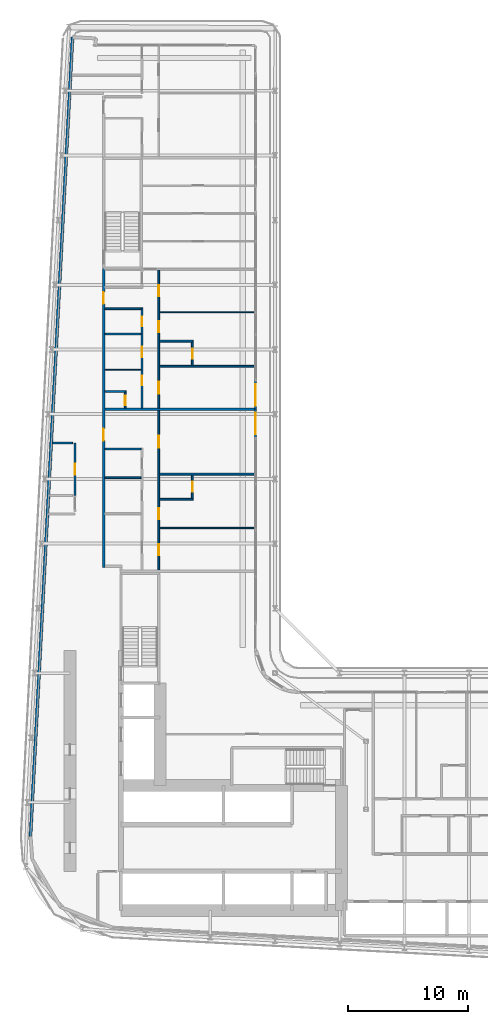
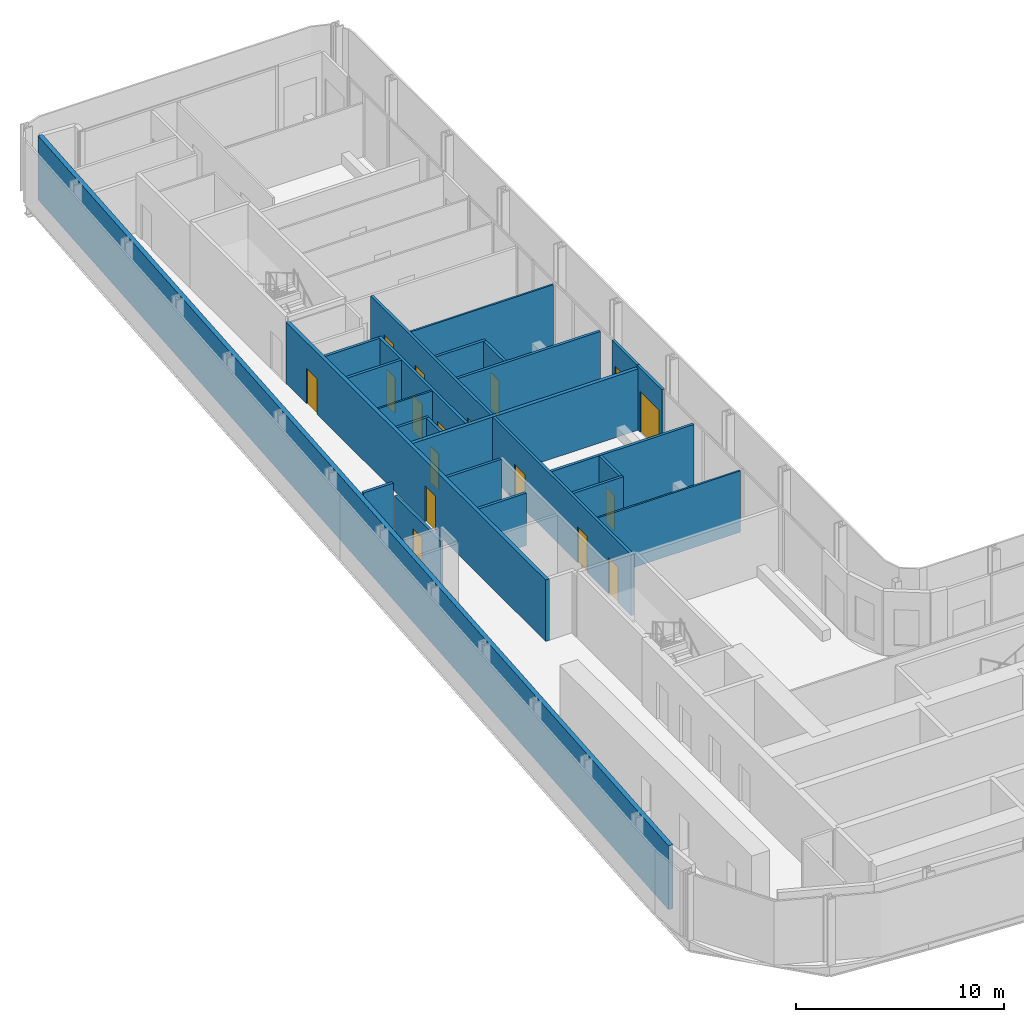
# One storey, part 16 of 27: 25 walls, 17 doors, 17 openings.
"""IFC4 building model written with IfcOpenShell, lengths in metres."""

from ifc_helpers import new_model, si_unit, direction, frame, frame_2d, origin, place, context, subcontext, project, spatial, rectangle, extrude, source, transform, mapped, material, layer, layer_set, type_object, element, fill, save


model = new_model("IFC4")

# Units and contexts
model_context = context("Model", 3, precision=1e-05, world=origin(), true_north=direction((0.0, 1.0)))
body_context = subcontext(model_context, "Body", "Model", "MODEL_VIEW")
ifc_project = project(units=[si_unit("LENGTHUNIT", "METRE"), si_unit("AREAUNIT", "SQUARE_METRE"), si_unit("VOLUMEUNIT", "CUBIC_METRE"), si_unit("PLANEANGLEUNIT", "RADIAN"), si_unit("MASSUNIT", "GRAM", prefix="KILO")], contexts=[model_context])

# Site, building, storey
site_placement = place(None, origin())
site = spatial("IfcSite", under=ifc_project, at=site_placement, CompositionType="ELEMENT")
building_placement = place(site_placement, origin())
building = spatial("IfcBuilding", under=site, at=building_placement, Name="Kheshtan School and Residences Tower", CompositionType="ELEMENT")
storey_placement = place(building_placement, frame((0.0, 0.0, 53.89990234375)))
storey = spatial("IfcBuildingStorey", under=building, at=storey_placement, Name="L12", CompositionType="ELEMENT", Elevation=53.89990234375)

# Wall, openings, doors
ifc_material_1 = material(Name="Gypsum board on steel studs with fire boards", Category="steel")
ifc_layer_1 = layer(ifc_material_1, 0.199951171875)
ifc_layer_set_1 = layer_set([ifc_layer_1], Name="Corridor wall 200")
wall_type_1 = type_object("IfcWallType", Name="Corridor wall 200", PredefinedType="PARTITIONING", material=ifc_layer_set_1)
wall_1_placement = place(storey_placement, frame((33.300048828125, 54.39990234375, 0.0), z_axis=(0.0, 0.0, 1.0), x_axis=(0.0, 1.0, 0.0)))
wall_1 = element("IfcWall", 1, at=wall_1_placement, inside=storey, type_object=wall_type_1, Name="Partition L12-003", PredefinedType="PARTITIONING", context=body_context, shape_type="SweptSolid", body=[
    extrude(rectangle(XDim=24.97509765625, YDim=0.199951171875, at=frame_2d((12.487548828125, 0.0))), origin(), (0.0, 0.0, 1.0), 3.60009765625),
])
opening_1_placement = place(wall_1_placement, frame((10.60009765625, 0.0, 0.0)))
opening_1 = element("IfcOpeningElement", 2, at=opening_1_placement, cuts=wall_1, Name="Opening D12-033", PredefinedType="OPENING", context=body_context, shape_type="SweptSolid", body=[
    extrude(rectangle(XDim=1.0, YDim=2.10009765625, at=frame_2d((0.5, 1.050048828125))), frame((0.0, 0.10986328125, 0.0), z_axis=(0.0, -1.0, 0.0), x_axis=(1.0, 0.0, 0.0)), (0.0, 0.0, 1.0), 0.219970703125),
])
opening_2_placement = place(wall_1_placement, frame((22.0, 0.0, 0.0)))
opening_2 = element("IfcOpeningElement", 3, at=opening_2_placement, cuts=wall_1, Name="Opening D12-041", PredefinedType="OPENING", context=body_context, shape_type="SweptSolid", body=[
    extrude(rectangle(XDim=1.0, YDim=2.10009765625, at=frame_2d((0.5, 1.050048828125))), frame((0.0, 0.10986328125, 0.0), z_axis=(0.0, -1.0, 0.0), x_axis=(1.0, 0.0, 0.0)), (0.0, 0.0, 1.0), 0.219970703125),
])
ifc_material_2 = material(Name="Steel-framed fire-resisting door leaf", Category="steel")
door_type_1 = type_object("IfcDoorType", Name="Fire door FD30S 1000 x 2100", OperationType="SINGLE_SWING_LEFT", PredefinedType="DOOR", material=ifc_material_2)
shared_shape_1 = source(origin(), body_context, "Body", "SweptSolid", [
    extrude(rectangle(XDim=1.0, YDim=2.10009765625, at=frame_2d((0.5, 1.050048828125))), frame((0.0, 0.02490234375, 0.0), z_axis=(0.0, -1.0, 0.0), x_axis=(1.0, 0.0, 0.0)), (0.0, 0.0, 1.0), 0.050048828125),
])
door_1_placement = place(opening_1_placement, origin())
door_1 = element("IfcDoor", 4, at=door_1_placement, inside=storey, type_object=door_type_1, Name="Door D12-033", OperationType="SINGLE_SWING_RIGHT", OverallHeight=2.10009765625, OverallWidth=1.0, PredefinedType="DOOR", context=body_context, shape_type="MappedRepresentation", body=[
    mapped(shared_shape_1, transform((0.0, 0.0, 0.0), x_axis=(1.0, 0.0, 0.0), y_axis=(0.0, 1.0, 0.0), z_axis=(0.0, 0.0, 1.0), scale=1.0)),
])
fill(opening_1, door_1)
door_2_placement = place(opening_2_placement, origin())
door_2 = element("IfcDoor", 5, at=door_2_placement, inside=storey, type_object=door_type_1, Name="Door D12-041", OperationType="SINGLE_SWING_LEFT", OverallHeight=2.10009765625, OverallWidth=1.0, PredefinedType="DOOR", context=body_context, shape_type="MappedRepresentation", body=[
    mapped(shared_shape_1, transform((0.0, 0.0, 0.0), x_axis=(1.0, 0.0, 0.0), y_axis=(0.0, 1.0, 0.0), z_axis=(0.0, 0.0, 1.0), scale=1.0)),
])
fill(opening_2, door_2)

# Wall
ifc_material_3 = material(Name="Concrete C40/50 with ceramic cladding and mineral wool insulation", Category="concrete")
ifc_layer_2 = layer(ifc_material_3, 0.25)
ifc_layer_set_2 = layer_set([ifc_layer_2], Name="External wall 250 ceramic clad")
wall_type_2 = type_object("IfcWallType", Name="External wall 250 ceramic clad", PredefinedType="SOLIDWALL", material=ifc_layer_set_2)
wall_2_placement = place(storey_placement, frame((27.195068359375, 31.968994140625, 0.0), z_axis=(0.0, 0.0, 1.0), x_axis=(0.052554995867, 0.998618031286, 0.0)))
element("IfcWall", 6, at=wall_2_placement, inside=storey, type_object=wall_type_2, Name="External wall L12 4", PredefinedType="SOLIDWALL", context=body_context, shape_type="SweptSolid", body=[
    extrude(rectangle(XDim=66.787353515625, YDim=0.25, at=frame_2d((33.3935546875, 0.0))), origin(), (0.0, 0.0, 1.0), 3.75),
])

# Wall, opening, door
ifc_material_4 = material(Name="Aluminium frame wall with insulated infill", Category="aluminium")
ifc_layer_3 = layer(ifc_material_4, 0.14990234375)
ifc_layer_set_3 = layer_set([ifc_layer_3], Name="Glazing frame wall 150")
wall_type_3 = type_object("IfcWallType", Name="Glazing frame wall 150", PredefinedType="SOLIDWALL", material=ifc_layer_set_3)
wall_3_placement = place(storey_placement, frame((45.97509765625, 70.01806640625, 0.0), z_axis=(0.0, 0.0, 1.0), x_axis=(0.0, -1.0, 0.0)))
wall_3 = element("IfcWall", 7, at=wall_3_placement, inside=storey, type_object=wall_type_3, Name="Balcony door wall L12 8.3", PredefinedType="SOLIDWALL", context=body_context, shape_type="SweptSolid", body=[
    extrude(rectangle(XDim=2.400146484375, YDim=0.14990234375, at=frame_2d((1.2001953125, 0.0))), origin(), (0.0, 0.0, 1.0), 3.75),
])
opening_3_placement = place(wall_3_placement, frame((0.300048828125, 0.0, 0.0)))
opening_3 = element("IfcOpeningElement", 8, at=opening_3_placement, cuts=wall_3, Name="Opening BD", PredefinedType="OPENING", context=body_context, shape_type="SweptSolid", body=[
    extrude(rectangle(XDim=1.800048828125, YDim=2.39990234375, at=frame_2d((0.89990234375, 1.199951171875))), frame((0.0, 0.0849609375, 0.0), z_axis=(0.0, -1.0, 0.0), x_axis=(1.0, 0.0, 0.0)), (0.0, 0.0, 1.0), 0.169921875),
])
ifc_material_5 = material(Name="Clear low-e glass in thermally broken aluminium frame", Category="aluminium")
door_type_2 = type_object("IfcDoorType", Name="Balcony sliding door", OperationType="SLIDING_TO_LEFT", PredefinedType="DOOR", material=ifc_material_5)
shared_shape_2 = source(origin(), body_context, "Body", "SweptSolid", [
    extrude(rectangle(XDim=1.800048828125, YDim=2.39990234375, at=frame_2d((0.89990234375, 1.199951171875))), frame((0.0, 0.02490234375, 0.0), z_axis=(0.0, -1.0, 0.0), x_axis=(1.0, 0.0, 0.0)), (0.0, 0.0, 1.0), 0.050048828125),
])
door_3_placement = place(opening_3_placement, origin())
door_3 = element("IfcDoor", 9, at=door_3_placement, inside=storey, type_object=door_type_2, Name="Balcony door L12 8.3", OperationType="SLIDING_TO_LEFT", OverallHeight=2.39990234375, OverallWidth=1.800048828125, PredefinedType="DOOR", context=body_context, shape_type="MappedRepresentation", body=[
    mapped(shared_shape_2, transform((0.0, 0.0, 0.0), x_axis=(1.0, 0.0, 0.0), y_axis=(0.0, 1.0, 0.0), z_axis=(0.0, 0.0, 1.0), scale=1.0)),
])
fill(opening_3, door_3)

wall_4_placement = place(storey_placement, frame((45.97509765625, 67.617919921875, 0.0), z_axis=(0.0, 0.0, 1.0), x_axis=(0.0, -1.0, 0.0)))
wall_4 = element("IfcWall", 10, at=wall_4_placement, inside=storey, type_object=wall_type_3, Name="Balcony door wall L12 8.4", PredefinedType="SOLIDWALL", context=body_context, shape_type="SweptSolid", body=[
    extrude(rectangle(XDim=2.39990234375, YDim=0.14990234375, at=frame_2d((1.199951171875, 0.0))), origin(), (0.0, 0.0, 1.0), 3.75),
])
opening_4_placement = place(wall_4_placement, frame((0.300048828125, 0.0, 0.0)))
opening_4 = element("IfcOpeningElement", 11, at=opening_4_placement, cuts=wall_4, Name="Opening BD", PredefinedType="OPENING", context=body_context, shape_type="SweptSolid", body=[
    extrude(rectangle(XDim=1.800048828125, YDim=2.39990234375, at=frame_2d((0.89990234375, 1.199951171875))), frame((0.0, 0.0849609375, 0.0), z_axis=(0.0, -1.0, 0.0), x_axis=(1.0, 0.0, 0.0)), (0.0, 0.0, 1.0), 0.169921875),
])
door_4_placement = place(opening_4_placement, origin())
door_4 = element("IfcDoor", 12, at=door_4_placement, inside=storey, type_object=door_type_2, Name="Balcony door L12 8.4", OperationType="SLIDING_TO_LEFT", OverallHeight=2.39990234375, OverallWidth=1.800048828125, PredefinedType="DOOR", context=body_context, shape_type="MappedRepresentation", body=[
    mapped(shared_shape_2, transform((0.0, 0.0, 0.0), x_axis=(1.0, 0.0, 0.0), y_axis=(0.0, 1.0, 0.0), z_axis=(0.0, 0.0, 1.0), scale=1.0)),
])
fill(opening_4, door_4)

# Walls
ifc_material_6 = material(Name="Gypsum board on steel studs", Category="steel")
ifc_layer_4 = layer(ifc_material_6, 0.10009765625)
ifc_layer_set_4 = layer_set([ifc_layer_4], Name="Gypsum partition 100")
wall_type_4 = type_object("IfcWallType", Name="Gypsum partition 100", PredefinedType="PARTITIONING", material=ifc_layer_set_4)
wall_5_placement = place(storey_placement, frame((33.39990234375, 70.89990234375, 0.0), z_axis=(0.0, 0.0, 1.0), x_axis=(1.0, 0.0, 0.0)))
element("IfcWall", 13, at=wall_5_placement, inside=storey, type_object=wall_type_4, Name="Partition L12-011", PredefinedType="PARTITIONING", context=body_context, shape_type="SweptSolid", body=[
    extrude(rectangle(XDim=3.025146484375, YDim=0.10009765625, at=frame_2d((1.5126953125, 0.0))), origin(), (0.0, 0.0, 1.0), 3.60009765625),
])
for number, where, z_axis, x_axis, name in (
    (14, (37.97509765625, 57.699951171875, 0.0), (0.0, 0.0, 1.0), (1.0, 0.0, 0.0), "Partition L12-034"),
    (15, (37.97509765625, 75.699951171875, 0.0), (0.0, 0.0, 1.0), (1.0, 0.0, 0.0), "Partition L12-039"),
):
    element("IfcWall", number, at=place(storey_placement, frame(where, z_axis=z_axis, x_axis=x_axis)), inside=storey, type_object=wall_type_4, Name=name, PredefinedType="PARTITIONING", context=body_context, shape_type="SweptSolid", body=[
        extrude(rectangle(XDim=7.9248046875, YDim=0.10009765625, at=frame_2d((3.96240234375, 0.0))), origin(), (0.0, 0.0, 1.0), 3.60009765625),
    ])

# Wall, opening, door
ifc_material_7 = material(Name="Fire-board shaft wall system")
ifc_layer_5 = layer(ifc_material_7, 0.14990234375)
ifc_layer_set_5 = layer_set([ifc_layer_5], Name="Service room wall 150")
wall_type_5 = type_object("IfcWallType", Name="Service room wall 150", PredefinedType="PARTITIONING", material=ifc_layer_set_5)
wall_6_placement = place(storey_placement, frame((30.89990234375, 60.4140625, 0.0), z_axis=(0.0, 0.0, 1.0), x_axis=(0.0, 1.0, 0.0)))
wall_6 = element("IfcWall", 16, at=wall_6_placement, inside=storey, type_object=wall_type_5, Name="Service room wall", PredefinedType="PARTITIONING", context=body_context, shape_type="SweptSolid", body=[
    extrude(rectangle(XDim=4.385986328125, YDim=0.14990234375, at=frame_2d((2.19287109375, 0.0))), origin(), (0.0, 0.0, 1.0), 3.072021484375),
])
opening_5_placement = place(wall_6_placement, frame((1.742919921875, 0.0, 0.0)))
opening_5 = element("IfcOpeningElement", 17, at=opening_5_placement, cuts=wall_6, Name="Opening SR90", PredefinedType="OPENING", context=body_context, shape_type="SweptSolid", body=[
    extrude(rectangle(XDim=0.89990234375, YDim=2.199951171875, at=frame_2d((0.449951171875, 1.10009765625))), frame((0.0, 0.0849609375, 0.0), z_axis=(0.0, -1.0, 0.0), x_axis=(1.0, 0.0, 0.0)), (0.0, 0.0, 1.0), 0.169921875),
])
ifc_material_8 = material(Name="Steel door leaf, galvanised", Category="steel")
door_type_3 = type_object("IfcDoorType", Name="Service room door 900 steel 90 min", OperationType="SINGLE_SWING_LEFT", PredefinedType="DOOR", material=ifc_material_8)
shared_shape_3 = source(origin(), body_context, "Body", "SweptSolid", [
    extrude(rectangle(XDim=0.89990234375, YDim=2.199951171875, at=frame_2d((0.449951171875, 1.10009765625))), frame((0.0, 0.02490234375, 0.0), z_axis=(0.0, -1.0, 0.0), x_axis=(1.0, 0.0, 0.0)), (0.0, 0.0, 1.0), 0.050048828125),
])
door_5_placement = place(opening_5_placement, origin())
door_5 = element("IfcDoor", 18, at=door_5_placement, inside=storey, type_object=door_type_3, Name="Service room door", OperationType="SINGLE_SWING_LEFT", OverallHeight=2.199951171875, OverallWidth=0.89990234375, PredefinedType="DOOR", context=body_context, shape_type="MappedRepresentation", body=[
    mapped(shared_shape_3, transform((0.0, 0.0, 0.0), x_axis=(1.0, 0.0, 0.0), y_axis=(0.0, 1.0, 0.0), z_axis=(0.0, 0.0, 1.0), scale=1.0)),
])
fill(opening_5, door_5)

# Walls
wall_7_placement = place(storey_placement, frame((29.050048828125, 64.800048828125, 0.0), z_axis=(0.0, 0.0, 1.0), x_axis=(1.0, 0.0, 0.0)))
element("IfcWall", 19, at=wall_7_placement, inside=storey, type_object=wall_type_5, Name="Service room wall", PredefinedType="PARTITIONING", context=body_context, shape_type="SweptSolid", body=[
    extrude(rectangle(XDim=1.655029296875, YDim=0.14990234375, at=frame_2d((0.82763671875, 0.0))), origin(), (0.0, 0.0, 1.0), 3.900146484375),
])
ifc_material_9 = material(Name="Twin gypsum board on steel studs with mineral wool", Category="steel")
ifc_layer_6 = layer(ifc_material_9, 0.199951171875)
ifc_layer_set_6 = layer_set([ifc_layer_6], Name="Unit demising wall 200")
wall_type_6 = type_object("IfcWallType", Name="Unit demising wall 200", PredefinedType="PARTITIONING", material=ifc_layer_set_6)
wall_8_placement = place(storey_placement, frame((33.39990234375, 67.60009765625, 0.0), z_axis=(0.0, 0.0, 1.0), x_axis=(1.0, 0.0, 0.0)))
element("IfcWall", 20, at=wall_8_placement, inside=storey, type_object=wall_type_6, Name="Partition L12-009", PredefinedType="PARTITIONING", context=body_context, shape_type="SweptSolid", body=[
    extrude(rectangle(XDim=12.5, YDim=0.199951171875, at=frame_2d((6.25, 0.0))), origin(), (0.0, 0.0, 1.0), 3.60009765625),
])
ifc_material_10 = material(Name="Moisture-resistant gypsum board on steel studs", Category="steel")
ifc_layer_7 = layer(ifc_material_10, 0.14990234375)
ifc_layer_set_7 = layer_set([ifc_layer_7], Name="Wet-room partition 150")
wall_type_7 = type_object("IfcWallType", Name="Wet-room partition 150", PredefinedType="PARTITIONING", material=ifc_layer_set_7)
wall_9_placement = place(storey_placement, frame((33.39990234375, 61.89990234375, 0.0), z_axis=(0.0, 0.0, 1.0), x_axis=(1.0, 0.0, 0.0)))
element("IfcWall", 21, at=wall_9_placement, inside=storey, type_object=wall_type_7, Name="Partition L12-007", PredefinedType="PARTITIONING", context=body_context, shape_type="SweptSolid", body=[
    extrude(rectangle(XDim=3.025146484375, YDim=0.14990234375, at=frame_2d((1.5126953125, 0.0))), origin(), (0.0, 0.0, 1.0), 3.072021484375),
])
wall_10_placement = place(storey_placement, frame((33.39990234375, 64.300048828125, 0.0), z_axis=(0.0, 0.0, 1.0), x_axis=(1.0, 0.0, 0.0)))
element("IfcWall", 22, at=wall_10_placement, inside=storey, type_object=wall_type_7, Name="Partition L12-008", PredefinedType="PARTITIONING", context=body_context, shape_type="SweptSolid", body=[
    extrude(rectangle(XDim=3.025146484375, YDim=0.14990234375, at=frame_2d((1.5126953125, 0.0))), origin(), (0.0, 0.0, 1.0), 3.60009765625),
])
wall_11_placement = place(storey_placement, frame((33.39990234375, 69.10009765625, 0.0), z_axis=(0.0, 0.0, 1.0), x_axis=(1.0, 0.0, 0.0)))
element("IfcWall", 23, at=wall_11_placement, inside=storey, type_object=wall_type_7, Name="Partition L12-010", PredefinedType="PARTITIONING", context=body_context, shape_type="SweptSolid", body=[
    extrude(rectangle(XDim=1.775146484375, YDim=0.14990234375, at=frame_2d((0.8876953125, 0.0))), origin(), (0.0, 0.0, 1.0), 3.60009765625),
])
for number, where, z_axis, x_axis, name in (
    (24, (33.39990234375, 73.89990234375, 0.0), (0.0, 0.0, 1.0), (1.0, 0.0, 0.0), "Partition L12-012"),
    (25, (33.39990234375, 76.0, 0.0), (0.0, 0.0, 1.0), (1.0, 0.0, 0.0), "Partition L12-013"),
):
    element("IfcWall", number, at=place(storey_placement, frame(where, z_axis=z_axis, x_axis=x_axis)), inside=storey, type_object=wall_type_7, Name=name, PredefinedType="PARTITIONING", context=body_context, shape_type="SweptSolid", body=[
        extrude(rectangle(XDim=3.025146484375, YDim=0.14990234375, at=frame_2d((1.5126953125, 0.0))), origin(), (0.0, 0.0, 1.0), 3.60009765625),
    ])

# Wall, opening, door
wall_12_placement = place(storey_placement, frame((35.10009765625, 67.699951171875, 0.0), z_axis=(0.0, 0.0, 1.0), x_axis=(0.0, 1.0, 0.0)))
wall_12 = element("IfcWall", 26, at=wall_12_placement, inside=storey, type_object=wall_type_7, Name="Partition L12-020", PredefinedType="PARTITIONING", context=body_context, shape_type="SweptSolid", body=[
    extrude(rectangle(XDim=1.324951171875, YDim=0.14990234375, at=frame_2d((0.66259765625, 0.0))), origin(), (0.0, 0.0, 1.0), 3.60009765625),
])
opening_6_placement = place(wall_12_placement, frame((0.25, 0.0, 0.0)))
opening_6 = element("IfcOpeningElement", 27, at=opening_6_placement, cuts=wall_12, Name="Opening D12-045", PredefinedType="OPENING", context=body_context, shape_type="SweptSolid", body=[
    extrude(rectangle(XDim=0.800048828125, YDim=2.10009765625, at=frame_2d((0.39990234375, 1.050048828125))), frame((0.0, 0.0849609375, 0.0), z_axis=(0.0, -1.0, 0.0), x_axis=(1.0, 0.0, 0.0)), (0.0, 0.0, 1.0), 0.169921875),
])
ifc_material_11 = material(Name="Veneered timber door leaf", Category="wood")
door_type_4 = type_object("IfcDoorType", Name="Door 800 x 2100", OperationType="SINGLE_SWING_LEFT", PredefinedType="DOOR", material=ifc_material_11)
shared_shape_4 = source(origin(), body_context, "Body", "SweptSolid", [
    extrude(rectangle(XDim=0.800048828125, YDim=2.10009765625, at=frame_2d((0.39990234375, 1.050048828125))), frame((0.0, 0.02490234375, 0.0), z_axis=(0.0, -1.0, 0.0), x_axis=(1.0, 0.0, 0.0)), (0.0, 0.0, 1.0), 0.050048828125),
])
door_6_placement = place(opening_6_placement, origin())
door_6 = element("IfcDoor", 28, at=door_6_placement, inside=storey, type_object=door_type_4, Name="Door D12-045", OperationType="SINGLE_SWING_RIGHT", OverallHeight=2.10009765625, OverallWidth=0.800048828125, PredefinedType="DOOR", context=body_context, shape_type="MappedRepresentation", body=[
    mapped(shared_shape_4, transform((0.0, 0.0, 0.0), x_axis=(1.0, 0.0, 0.0), y_axis=(0.0, 1.0, 0.0), z_axis=(0.0, 0.0, 1.0), scale=1.0)),
])
fill(opening_6, door_6)

# Wall, openings, doors
wall_13_placement = place(storey_placement, frame((36.5, 67.699951171875, 0.0), z_axis=(0.0, 0.0, 1.0), x_axis=(0.0, 1.0, 0.0)))
wall_13 = element("IfcWall", 29, at=wall_13_placement, inside=storey, type_object=wall_type_7, Name="Partition L12-023", PredefinedType="PARTITIONING", context=body_context, shape_type="SweptSolid", body=[
    extrude(rectangle(XDim=8.375, YDim=0.14990234375, at=frame_2d((4.1875, 0.0))), origin(), (0.0, 0.0, 1.0), 3.60009765625),
])
opening_7_placement = place(wall_13_placement, frame((6.85009765625, 0.0, 0.0)))
opening_7 = element("IfcOpeningElement", 30, at=opening_7_placement, cuts=wall_13, Name="Opening D12-038", PredefinedType="OPENING", context=body_context, shape_type="SweptSolid", body=[
    extrude(rectangle(XDim=0.800048828125, YDim=2.10009765625, at=frame_2d((0.39990234375, 1.050048828125))), frame((0.0, 0.0849609375, 0.0), z_axis=(0.0, -1.0, 0.0), x_axis=(1.0, 0.0, 0.0)), (0.0, 0.0, 1.0), 0.169921875),
])
opening_8_placement = place(wall_13_placement, frame((4.25, 0.0, 0.0)))
opening_8 = element("IfcOpeningElement", 31, at=opening_8_placement, cuts=wall_13, Name="Opening D12-042", PredefinedType="OPENING", context=body_context, shape_type="SweptSolid", body=[
    extrude(rectangle(XDim=0.89990234375, YDim=2.10009765625, at=frame_2d((0.449951171875, 1.050048828125))), frame((0.0, 0.0849609375, 0.0), z_axis=(0.0, -1.0, 0.0), x_axis=(1.0, 0.0, 0.0)), (0.0, 0.0, 1.0), 0.169921875),
])
opening_9_placement = place(wall_13_placement, frame((1.89990234375, 0.0, 0.0)))
opening_9 = element("IfcOpeningElement", 32, at=opening_9_placement, cuts=wall_13, Name="Opening D12-044", PredefinedType="OPENING", context=body_context, shape_type="SweptSolid", body=[
    extrude(rectangle(XDim=0.800048828125, YDim=2.10009765625, at=frame_2d((0.39990234375, 1.050048828125))), frame((0.0, 0.0849609375, 0.0), z_axis=(0.0, -1.0, 0.0), x_axis=(1.0, 0.0, 0.0)), (0.0, 0.0, 1.0), 0.169921875),
])
door_7_placement = place(opening_7_placement, origin())
door_7 = element("IfcDoor", 33, at=door_7_placement, inside=storey, type_object=door_type_4, Name="Door D12-038", OperationType="SINGLE_SWING_RIGHT", OverallHeight=2.10009765625, OverallWidth=0.800048828125, PredefinedType="DOOR", context=body_context, shape_type="MappedRepresentation", body=[
    mapped(shared_shape_4, transform((0.0, 0.0, 0.0), x_axis=(1.0, 0.0, 0.0), y_axis=(0.0, 1.0, 0.0), z_axis=(0.0, 0.0, 1.0), scale=1.0)),
])
fill(opening_7, door_7)
door_8_placement = place(opening_9_placement, origin())
door_8 = element("IfcDoor", 34, at=door_8_placement, inside=storey, type_object=door_type_4, Name="Door D12-044", OperationType="SINGLE_SWING_RIGHT", OverallHeight=2.10009765625, OverallWidth=0.800048828125, PredefinedType="DOOR", context=body_context, shape_type="MappedRepresentation", body=[
    mapped(shared_shape_4, transform((0.0, 0.0, 0.0), x_axis=(1.0, 0.0, 0.0), y_axis=(0.0, 1.0, 0.0), z_axis=(0.0, 0.0, 1.0), scale=1.0)),
])
fill(opening_9, door_8)
door_type_5 = type_object("IfcDoorType", Name="Door 900 x 2100", OperationType="SINGLE_SWING_LEFT", PredefinedType="DOOR", material=ifc_material_11)
shared_shape_5 = source(origin(), body_context, "Body", "SweptSolid", [
    extrude(rectangle(XDim=0.89990234375, YDim=2.10009765625, at=frame_2d((0.449951171875, 1.050048828125))), frame((0.0, 0.02490234375, 0.0), z_axis=(0.0, -1.0, 0.0), x_axis=(1.0, 0.0, 0.0)), (0.0, 0.0, 1.0), 0.050048828125),
])
door_9_placement = place(opening_8_placement, origin())
door_9 = element("IfcDoor", 35, at=door_9_placement, inside=storey, type_object=door_type_5, Name="Door D12-042", OperationType="SINGLE_SWING_RIGHT", OverallHeight=2.10009765625, OverallWidth=0.89990234375, PredefinedType="DOOR", context=body_context, shape_type="MappedRepresentation", body=[
    mapped(shared_shape_5, transform((0.0, 0.0, 0.0), x_axis=(1.0, 0.0, 0.0), y_axis=(0.0, 1.0, 0.0), z_axis=(0.0, 0.0, 1.0), scale=1.0)),
])
fill(opening_8, door_9)

wall_14_placement = place(storey_placement, frame((37.89990234375, 54.199951171875, 0.0), z_axis=(0.0, 0.0, 1.0), x_axis=(0.0, 1.0, 0.0)))
wall_14 = element("IfcWall", 36, at=wall_14_placement, inside=storey, type_object=wall_type_7, Name="Partition L12-030", PredefinedType="PARTITIONING", context=body_context, shape_type="SweptSolid", body=[
    extrude(rectangle(XDim=13.300048828125, YDim=0.14990234375, at=frame_2d((6.64990234375, 0.0))), origin(), (0.0, 0.0, 1.0), 3.60009765625),
])
opening_10_placement = place(wall_14_placement, frame((1.25, 0.0, 0.0)))
opening_10 = element("IfcOpeningElement", 37, at=opening_10_placement, cuts=wall_14, Name="Opening D12-031", PredefinedType="OPENING", context=body_context, shape_type="SweptSolid", body=[
    extrude(rectangle(XDim=0.89990234375, YDim=2.10009765625, at=frame_2d((0.449951171875, 1.050048828125))), frame((0.0, 0.0849609375, 0.0), z_axis=(0.0, -1.0, 0.0), x_axis=(1.0, 0.0, 0.0)), (0.0, 0.0, 1.0), 0.169921875),
])
opening_11_placement = place(wall_14_placement, frame((10.199951171875, 0.0, 0.0)))
opening_11 = element("IfcOpeningElement", 38, at=opening_11_placement, cuts=wall_14, Name="Opening D12-035", PredefinedType="OPENING", context=body_context, shape_type="SweptSolid", body=[
    extrude(rectangle(XDim=1.0, YDim=2.10009765625, at=frame_2d((0.5, 1.050048828125))), frame((0.0, 0.0849609375, 0.0), z_axis=(0.0, -1.0, 0.0), x_axis=(1.0, 0.0, 0.0)), (0.0, 0.0, 1.0), 0.169921875),
])
opening_12_placement = place(wall_14_placement, frame((4.25, 0.0, 0.0)))
opening_12 = element("IfcOpeningElement", 39, at=opening_12_placement, cuts=wall_14, Name="Opening D12-036", PredefinedType="OPENING", context=body_context, shape_type="SweptSolid", body=[
    extrude(rectangle(XDim=0.89990234375, YDim=2.10009765625, at=frame_2d((0.449951171875, 1.050048828125))), frame((0.0, 0.0849609375, 0.0), z_axis=(0.0, -1.0, 0.0), x_axis=(1.0, 0.0, 0.0)), (0.0, 0.0, 1.0), 0.169921875),
])
door_type_6 = type_object("IfcDoorType", Name="Door 1000 x 2100", OperationType="SINGLE_SWING_LEFT", PredefinedType="DOOR", material=ifc_material_11)
shared_shape_6 = source(origin(), body_context, "Body", "SweptSolid", [
    extrude(rectangle(XDim=1.0, YDim=2.10009765625, at=frame_2d((0.5, 1.050048828125))), frame((0.0, 0.02490234375, 0.0), z_axis=(0.0, -1.0, 0.0), x_axis=(1.0, 0.0, 0.0)), (0.0, 0.0, 1.0), 0.050048828125),
])
door_10_placement = place(opening_11_placement, origin())
door_10 = element("IfcDoor", 40, at=door_10_placement, inside=storey, type_object=door_type_6, Name="Door D12-035", OperationType="SINGLE_SWING_RIGHT", OverallHeight=2.10009765625, OverallWidth=1.0, PredefinedType="DOOR", context=body_context, shape_type="MappedRepresentation", body=[
    mapped(shared_shape_6, transform((0.0, 0.0, 0.0), x_axis=(1.0, 0.0, 0.0), y_axis=(0.0, 1.0, 0.0), z_axis=(0.0, 0.0, 1.0), scale=1.0)),
])
fill(opening_11, door_10)
door_11_placement = place(opening_10_placement, origin())
door_11 = element("IfcDoor", 41, at=door_11_placement, inside=storey, type_object=door_type_5, Name="Door D12-031", OperationType="SINGLE_SWING_RIGHT", OverallHeight=2.10009765625, OverallWidth=0.89990234375, PredefinedType="DOOR", context=body_context, shape_type="MappedRepresentation", body=[
    mapped(shared_shape_5, transform((0.0, 0.0, 0.0), x_axis=(1.0, 0.0, 0.0), y_axis=(0.0, 1.0, 0.0), z_axis=(0.0, 0.0, 1.0), scale=1.0)),
])
fill(opening_10, door_11)
door_12_placement = place(opening_12_placement, origin())
door_12 = element("IfcDoor", 42, at=door_12_placement, inside=storey, type_object=door_type_5, Name="Door D12-036", OperationType="SINGLE_SWING_RIGHT", OverallHeight=2.10009765625, OverallWidth=0.89990234375, PredefinedType="DOOR", context=body_context, shape_type="MappedRepresentation", body=[
    mapped(shared_shape_5, transform((0.0, 0.0, 0.0), x_axis=(1.0, 0.0, 0.0), y_axis=(0.0, 1.0, 0.0), z_axis=(0.0, 0.0, 1.0), scale=1.0)),
])
fill(opening_12, door_12)

wall_15_placement = place(storey_placement, frame((37.89990234375, 67.699951171875, 0.0), z_axis=(0.0, 0.0, 1.0), x_axis=(0.0, 1.0, 0.0)))
wall_15 = element("IfcWall", 43, at=wall_15_placement, inside=storey, type_object=wall_type_7, Name="Partition L12-031", PredefinedType="PARTITIONING", context=body_context, shape_type="SweptSolid", body=[
    extrude(rectangle(XDim=11.525146484375, YDim=0.14990234375, at=frame_2d((5.7626953125, 0.0))), origin(), (0.0, 0.0, 1.0), 3.60009765625),
])
opening_13_placement = place(wall_15_placement, frame((9.35009765625, 0.0, 0.0)))
opening_13 = element("IfcOpeningElement", 44, at=opening_13_placement, cuts=wall_15, Name="Opening D12-039", PredefinedType="OPENING", context=body_context, shape_type="SweptSolid", body=[
    extrude(rectangle(XDim=0.89990234375, YDim=2.10009765625, at=frame_2d((0.449951171875, 1.050048828125))), frame((0.0, 0.0849609375, 0.0), z_axis=(0.0, -1.0, 0.0), x_axis=(1.0, 0.0, 0.0)), (0.0, 0.0, 1.0), 0.169921875),
])
opening_14_placement = place(wall_15_placement, frame((1.199951171875, 0.0, 0.0)))
opening_14 = element("IfcOpeningElement", 45, at=opening_14_placement, cuts=wall_15, Name="Opening D12-043", PredefinedType="OPENING", context=body_context, shape_type="SweptSolid", body=[
    extrude(rectangle(XDim=1.0, YDim=2.10009765625, at=frame_2d((0.5, 1.050048828125))), frame((0.0, 0.0849609375, 0.0), z_axis=(0.0, -1.0, 0.0), x_axis=(1.0, 0.0, 0.0)), (0.0, 0.0, 1.0), 0.169921875),
])
opening_15_placement = place(wall_15_placement, frame((6.35009765625, 0.0, 0.0)))
opening_15 = element("IfcOpeningElement", 46, at=opening_15_placement, cuts=wall_15, Name="Opening D12-046", PredefinedType="OPENING", context=body_context, shape_type="SweptSolid", body=[
    extrude(rectangle(XDim=0.89990234375, YDim=2.10009765625, at=frame_2d((0.449951171875, 1.050048828125))), frame((0.0, 0.0849609375, 0.0), z_axis=(0.0, -1.0, 0.0), x_axis=(1.0, 0.0, 0.0)), (0.0, 0.0, 1.0), 0.169921875),
])
door_13_placement = place(opening_14_placement, origin())
door_13 = element("IfcDoor", 47, at=door_13_placement, inside=storey, type_object=door_type_6, Name="Door D12-043", OperationType="SINGLE_SWING_LEFT", OverallHeight=2.10009765625, OverallWidth=1.0, PredefinedType="DOOR", context=body_context, shape_type="MappedRepresentation", body=[
    mapped(shared_shape_6, transform((0.0, 0.0, 0.0), x_axis=(1.0, 0.0, 0.0), y_axis=(0.0, 1.0, 0.0), z_axis=(0.0, 0.0, 1.0), scale=1.0)),
])
fill(opening_14, door_13)
door_14_placement = place(opening_13_placement, origin())
door_14 = element("IfcDoor", 48, at=door_14_placement, inside=storey, type_object=door_type_5, Name="Door D12-039", OperationType="SINGLE_SWING_RIGHT", OverallHeight=2.10009765625, OverallWidth=0.89990234375, PredefinedType="DOOR", context=body_context, shape_type="MappedRepresentation", body=[
    mapped(shared_shape_5, transform((0.0, 0.0, 0.0), x_axis=(1.0, 0.0, 0.0), y_axis=(0.0, 1.0, 0.0), z_axis=(0.0, 0.0, 1.0), scale=1.0)),
])
fill(opening_13, door_14)
door_15_placement = place(opening_15_placement, origin())
door_15 = element("IfcDoor", 49, at=door_15_placement, inside=storey, type_object=door_type_5, Name="Door D12-046", OperationType="SINGLE_SWING_RIGHT", OverallHeight=2.10009765625, OverallWidth=0.89990234375, PredefinedType="DOOR", context=body_context, shape_type="MappedRepresentation", body=[
    mapped(shared_shape_5, transform((0.0, 0.0, 0.0), x_axis=(1.0, 0.0, 0.0), y_axis=(0.0, 1.0, 0.0), z_axis=(0.0, 0.0, 1.0), scale=1.0)),
])
fill(opening_15, door_15)

# Walls
wall_16_placement = place(storey_placement, frame((37.97509765625, 60.10009765625, 0.0), z_axis=(0.0, 0.0, 1.0), x_axis=(1.0, 0.0, 0.0)))
element("IfcWall", 50, at=wall_16_placement, inside=storey, type_object=wall_type_7, Name="Partition L12-035", PredefinedType="PARTITIONING", context=body_context, shape_type="SweptSolid", body=[
    extrude(rectangle(XDim=2.7998046875, YDim=0.14990234375, at=frame_2d((1.39990234375, 0.0))), origin(), (0.0, 0.0, 1.0), 3.60009765625),
])
for number, where, z_axis, x_axis, name in (
    (51, (37.97509765625, 62.199951171875, 0.0), (0.0, 0.0, 1.0), (1.0, 0.0, 0.0), "Partition L12-036"),
    (52, (37.97509765625, 71.199951171875, 0.0), (0.0, 0.0, 1.0), (1.0, 0.0, 0.0), "Partition L12-037"),
):
    element("IfcWall", number, at=place(storey_placement, frame(where, z_axis=z_axis, x_axis=x_axis)), inside=storey, type_object=wall_type_7, Name=name, PredefinedType="PARTITIONING", context=body_context, shape_type="SweptSolid", body=[
        extrude(rectangle(XDim=7.9248046875, YDim=0.14990234375, at=frame_2d((3.96240234375, 0.0))), origin(), (0.0, 0.0, 1.0), 3.60009765625),
    ])
wall_17_placement = place(storey_placement, frame((37.97509765625, 73.300048828125, 0.0), z_axis=(0.0, 0.0, 1.0), x_axis=(1.0, 0.0, 0.0)))
element("IfcWall", 53, at=wall_17_placement, inside=storey, type_object=wall_type_7, Name="Partition L12-038", PredefinedType="PARTITIONING", context=body_context, shape_type="SweptSolid", body=[
    extrude(rectangle(XDim=2.7998046875, YDim=0.14990234375, at=frame_2d((1.39990234375, 0.0))), origin(), (0.0, 0.0, 1.0), 3.60009765625),
])

# Wall, opening, door
wall_18_placement = place(storey_placement, frame((40.699951171875, 60.175048828125, 0.0), z_axis=(0.0, 0.0, 1.0), x_axis=(0.0, 1.0, 0.0)))
wall_18 = element("IfcWall", 54, at=wall_18_placement, inside=storey, type_object=wall_type_7, Name="Partition L12-041", PredefinedType="PARTITIONING", context=body_context, shape_type="SweptSolid", body=[
    extrude(rectangle(XDim=1.949951171875, YDim=0.14990234375, at=frame_2d((0.97509765625, 0.0))), origin(), (0.0, 0.0, 1.0), 3.60009765625),
])
opening_16_placement = place(wall_18_placement, frame((0.574951171875, 0.0, 0.0)))
opening_16 = element("IfcOpeningElement", 55, at=opening_16_placement, cuts=wall_18, Name="Opening D12-032", PredefinedType="OPENING", context=body_context, shape_type="SweptSolid", body=[
    extrude(rectangle(XDim=0.800048828125, YDim=2.10009765625, at=frame_2d((0.39990234375, 1.050048828125))), frame((0.0, 0.0849609375, 0.0), z_axis=(0.0, -1.0, 0.0), x_axis=(1.0, 0.0, 0.0)), (0.0, 0.0, 1.0), 0.169921875),
])
door_16_placement = place(opening_16_placement, origin())
door_16 = element("IfcDoor", 56, at=door_16_placement, inside=storey, type_object=door_type_4, Name="Door D12-032", OperationType="SINGLE_SWING_RIGHT", OverallHeight=2.10009765625, OverallWidth=0.800048828125, PredefinedType="DOOR", context=body_context, shape_type="MappedRepresentation", body=[
    mapped(shared_shape_4, transform((0.0, 0.0, 0.0), x_axis=(1.0, 0.0, 0.0), y_axis=(0.0, 1.0, 0.0), z_axis=(0.0, 0.0, 1.0), scale=1.0)),
])
fill(opening_16, door_16)

wall_19_placement = place(storey_placement, frame((40.699951171875, 71.27490234375, 0.0), z_axis=(0.0, 0.0, 1.0), x_axis=(0.0, 1.0, 0.0)))
wall_19 = element("IfcWall", 57, at=wall_19_placement, inside=storey, type_object=wall_type_7, Name="Partition L12-042", PredefinedType="PARTITIONING", context=body_context, shape_type="SweptSolid", body=[
    extrude(rectangle(XDim=1.9501953125, YDim=0.14990234375, at=frame_2d((0.97509765625, 0.0))), origin(), (0.0, 0.0, 1.0), 3.60009765625),
])
opening_17_placement = place(wall_19_placement, frame((0.574951171875, 0.0, 0.0)))
opening_17 = element("IfcOpeningElement", 58, at=opening_17_placement, cuts=wall_19, Name="Opening D12-040", PredefinedType="OPENING", context=body_context, shape_type="SweptSolid", body=[
    extrude(rectangle(XDim=0.800048828125, YDim=2.10009765625, at=frame_2d((0.39990234375, 1.050048828125))), frame((0.0, 0.0849609375, 0.0), z_axis=(0.0, -1.0, 0.0), x_axis=(1.0, 0.0, 0.0)), (0.0, 0.0, 1.0), 0.169921875),
])
door_17_placement = place(opening_17_placement, origin())
door_17 = element("IfcDoor", 59, at=door_17_placement, inside=storey, type_object=door_type_4, Name="Door D12-040", OperationType="SINGLE_SWING_RIGHT", OverallHeight=2.10009765625, OverallWidth=0.800048828125, PredefinedType="DOOR", context=body_context, shape_type="MappedRepresentation", body=[
    mapped(shared_shape_4, transform((0.0, 0.0, 0.0), x_axis=(1.0, 0.0, 0.0), y_axis=(0.0, 1.0, 0.0), z_axis=(0.0, 0.0, 1.0), scale=1.0)),
])
fill(opening_17, door_17)

save(model, "model.ifc")
